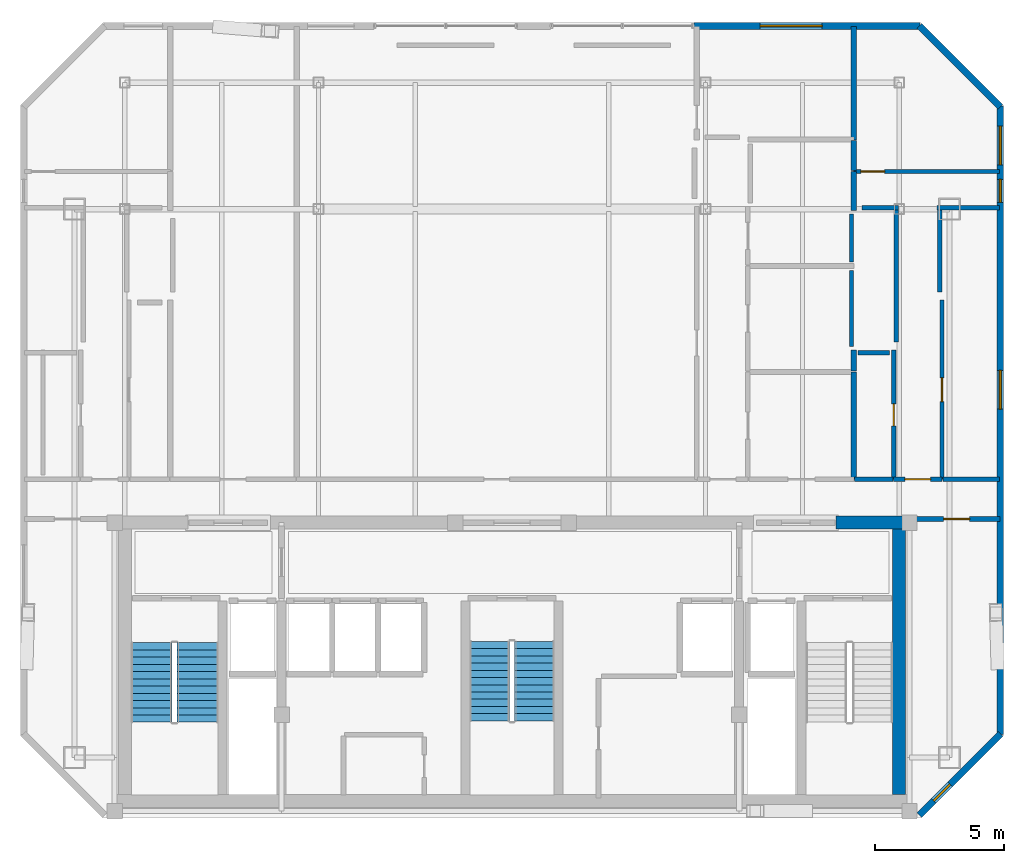
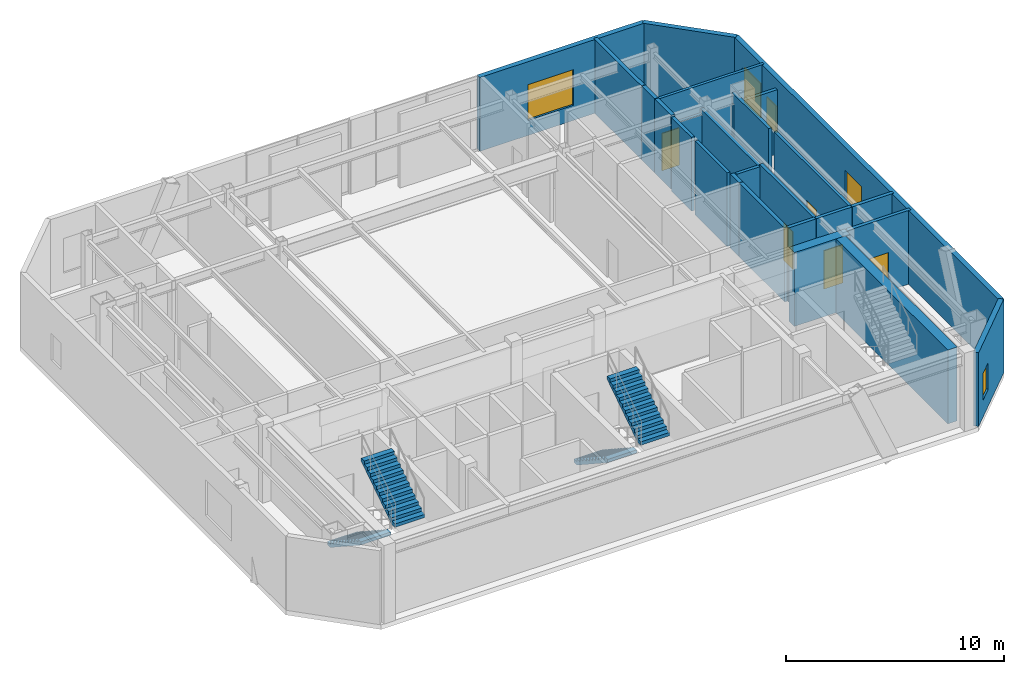
# One storey, part 8 of 10: 25 walls, 5 doors, 5 windows, 4 stair flights, 10 openings, 2 elements without a shape of their own.
"""IFC4 building model written with IfcOpenShell, lengths in metres."""

from ifc_helpers import new_model, si_unit, direction, frame, frame_2d, origin, place, context, subcontext, project, spatial, polyline, rectangle, outline, extrude, material, layer, layer_set, type_object, element, fill, aggregate, save


model = new_model("IFC4")

# Units and contexts
model_context = context("Model", 3, precision=1e-05, world=origin(), true_north=direction((0.0, 1.0)))
body_context = subcontext(model_context, "Body", "Model", "MODEL_VIEW")
ifc_project = project(units=[si_unit("LENGTHUNIT", "METRE"), si_unit("AREAUNIT", "SQUARE_METRE"), si_unit("VOLUMEUNIT", "CUBIC_METRE"), si_unit("PLANEANGLEUNIT", "RADIAN"), si_unit("MASSUNIT", "GRAM", prefix="KILO")], contexts=[model_context])

# Site, building, storey
site_placement = place(None, origin())
site = spatial("IfcSite", under=ifc_project, at=site_placement, CompositionType="ELEMENT")
building_placement = place(site_placement, origin())
building = spatial("IfcBuilding", under=site, at=building_placement, Name="Ventersveld Concourse Tower", CompositionType="ELEMENT")
storey_placement = place(building_placement, frame((0.0, 0.0, 357.85009765625)))
storey = spatial("IfcBuildingStorey", under=building, at=storey_placement, Name="L88", CompositionType="ELEMENT", Elevation=357.85009765625)

# Walls
ifc_material_1 = material(Name="Concrete C50/60", Category="concrete")
ifc_layer_1 = layer(ifc_material_1, 0.5)
ifc_layer_set_1 = layer_set([ifc_layer_1], Name="Concrete C50/60")
wall_type_1 = type_object("IfcWallType", Name="WL-CORE-500", PredefinedType="SHEAR", material=ifc_layer_set_1)
wall_1_placement = place(storey_placement, frame((43.75, 0.919921875, 0.0), z_axis=(0.0, 0.0, 1.0), x_axis=(0.0, 1.0, 0.0)))
element("IfcWall", 1, at=wall_1_placement, inside=storey, type_object=wall_type_1, Name="L88 Rear Core East Shear Wall", PredefinedType="SHEAR", context=body_context, shape_type="SweptSolid", body=[
    extrude(rectangle(XDim=10.530029296875, YDim=0.5, at=frame_2d((5.26513671875, 0.0))), origin(), (0.0, 0.0, 1.0), 4.139892578125),
])
wall_2_placement = place(storey_placement, frame((41.300048828125, 11.449951171875, 0.0), z_axis=(0.0, 0.0, 1.0), x_axis=(1.0, 0.0, 0.0)))
element("IfcWall", 2, at=wall_2_placement, inside=storey, type_object=wall_type_1, Name="L88 Rear Core North Shear Wall NE", PredefinedType="SHEAR", context=body_context, shape_type="SweptSolid", body=[
    extrude(rectangle(XDim=2.949951171875, YDim=0.5, at=frame_2d((1.47509765625, 0.0))), origin(), (0.0, 0.0, 1.0), 4.139892578125),
])

# Wall, opening, door
ifc_material_2 = material(Name="Fire-rated autoclaved aerated masonry blockwork", Category="masonry")
ifc_layer_2 = layer(ifc_material_2, 0.179931640625)
ifc_layer_set_2 = layer_set([ifc_layer_2], Name="Fire-rated autoclaved aerated masonry blockwork")
wall_type_2 = type_object("IfcWallType", Name="WL-CORR-180", PredefinedType="PARTITIONING", material=ifc_layer_set_2)
wall_3_placement = place(storey_placement, frame((44.304931640625, 11.594970703125, 0.0), z_axis=(0.0, 0.0, 1.0), x_axis=(1.0, 0.0, 0.0)))
wall_3 = element("IfcWall", 3, at=wall_3_placement, inside=storey, type_object=wall_type_2, Name="L88 Interior Partition SP-L88-COR-SP-L88-SEOFF", PredefinedType="PARTITIONING", context=body_context, shape_type="SweptSolid", body=[
    extrude(rectangle(XDim=3.341552734375, YDim=0.179931640625, at=frame_2d((1.6708984375, 0.0))), origin(), (0.0, 0.0, 1.0), 4.139892578125),
])
opening_1_placement = place(wall_3_placement, frame((1.1708984375, 0.0, 0.0)))
opening_1 = element("IfcOpeningElement", 4, at=opening_1_placement, cuts=wall_3, Name="Opening FD3", PredefinedType="OPENING", context=body_context, shape_type="SweptSolid", body=[
    extrude(rectangle(XDim=1.0, YDim=2.14990234375, at=frame_2d((0.5, 1.074951171875))), frame((0.0, 0.10009765625, 0.0), z_axis=(0.0, -1.0, 0.0), x_axis=(1.0, 0.0, 0.0)), (0.0, 0.0, 1.0), 0.199951171875),
])
ifc_material_3 = material(Name="Solid-core hardwood veneer timber", Category="wood")
door_type_1 = type_object("IfcDoorType", Name="DR-FLAT-100", OperationType="NOTDEFINED", PredefinedType="DOOR", material=ifc_material_3)
door_1_placement = place(opening_1_placement, origin())
door_1 = element("IfcDoor", 5, at=door_1_placement, inside=storey, type_object=door_type_1, Name="L88 Interior Door SP-L88-COR to SP-L88-SEOFF (D-L88-3910)", OperationType="SINGLE_SWING_RIGHT", OverallHeight=2.14990234375, OverallWidth=1.0, PredefinedType="DOOR", context=body_context, shape_type="SweptSolid", body=[
    extrude(rectangle(XDim=1.0, YDim=2.14990234375, at=frame_2d((0.5, 1.074951171875))), frame((0.0, 0.02490234375, 0.0), z_axis=(0.0, -1.0, 0.0), x_axis=(1.0, 0.0, 0.0)), (0.0, 0.0, 1.0), 0.050048828125),
])
fill(opening_1, door_1)

wall_4_placement = place(storey_placement, frame((43.534912109375, 13.135009765625, 0.0), z_axis=(0.0, 0.0, 1.0), x_axis=(1.0, 0.0, 0.0)))
wall_4 = element("IfcWall", 6, at=wall_4_placement, inside=storey, type_object=wall_type_2, Name="L88 Interior Partition SP-L88-COR-SP-L88-88E-LIV", PredefinedType="PARTITIONING", context=body_context, shape_type="SweptSolid", body=[
    extrude(rectangle(XDim=1.876220703125, YDim=0.179931640625, at=frame_2d((0.93798828125, 0.0))), origin(), (0.0, 0.0, 1.0), 4.139892578125),
])
opening_2_placement = place(wall_4_placement, frame((0.43798828125, 0.0, 0.0)))
opening_2 = element("IfcOpeningElement", 7, at=opening_2_placement, cuts=wall_4, Name="Opening FD3", PredefinedType="OPENING", context=body_context, shape_type="SweptSolid", body=[
    extrude(rectangle(XDim=1.0, YDim=2.14990234375, at=frame_2d((0.5, 1.074951171875))), frame((0.0, 0.10009765625, 0.0), z_axis=(0.0, -1.0, 0.0), x_axis=(1.0, 0.0, 0.0)), (0.0, 0.0, 1.0), 0.199951171875),
])
door_2_placement = place(opening_2_placement, origin())
door_2 = element("IfcDoor", 8, at=door_2_placement, inside=storey, type_object=door_type_1, Name="L88 Interior Door SP-L88-COR to SP-L88-88E-LIV (FD-L88-3916)", OperationType="SINGLE_SWING_RIGHT", OverallHeight=2.14990234375, OverallWidth=1.0, PredefinedType="DOOR", context=body_context, shape_type="SweptSolid", body=[
    extrude(rectangle(XDim=1.0, YDim=2.14990234375, at=frame_2d((0.5, 1.074951171875))), frame((0.0, 0.02490234375, 0.0), z_axis=(0.0, -1.0, 0.0), x_axis=(1.0, 0.0, 0.0)), (0.0, 0.0, 1.0), 0.050048828125),
])
fill(opening_2, door_2)

# Walls
wall_5_placement = place(storey_placement, frame((42.02490234375, 13.135009765625, 0.0), z_axis=(0.0, 0.0, 1.0), x_axis=(1.0, 0.0, 0.0)))
element("IfcWall", 9, at=wall_5_placement, inside=storey, type_object=wall_type_2, Name="L88 Interior Partition SP-L88-COR-SP-L88-88E-BATH", PredefinedType="PARTITIONING", context=body_context, shape_type="SweptSolid", body=[
    extrude(rectangle(XDim=1.47998046875, YDim=0.179931640625, at=frame_2d((0.739990234375, 0.0))), origin(), (0.0, 0.0, 1.0), 4.139892578125),
])
wall_6_placement = place(storey_placement, frame((45.441162109375, 13.135009765625, 0.0), z_axis=(0.0, 0.0, 1.0), x_axis=(1.0, 0.0, 0.0)))
element("IfcWall", 10, at=wall_6_placement, inside=storey, type_object=wall_type_2, Name="L88 Interior Partition SP-L88-COR-SP-L88-88E-KIT", PredefinedType="PARTITIONING", context=body_context, shape_type="SweptSolid", body=[
    extrude(rectangle(XDim=2.205322265625, YDim=0.179931640625, at=frame_2d((1.1025390625, 0.0))), origin(), (0.0, 0.0, 1.0), 4.139892578125),
])
wall_7_placement = place(storey_placement, frame((43.72509765625, 23.6455078125, 0.0), z_axis=(0.0, 0.0, 1.0), x_axis=(-1.0, 0.0, 0.0)))
element("IfcWall", 11, at=wall_7_placement, inside=storey, type_object=wall_type_2, Name="L88 Room Enclosure Wall SP-L88-88E-LIV", PredefinedType="PARTITIONING", context=body_context, shape_type="SweptSolid", body=[
    extrude(rectangle(XDim=1.41015625, YDim=0.179931640625, at=frame_2d((0.705078125, 0.0))), origin(), (0.0, 0.0, 1.0), 3.606689453125),
])
wall_8_placement = place(storey_placement, frame((47.646484375, 23.6455078125, 0.0), z_axis=(0.0, 0.0, 1.0), x_axis=(-1.0, 0.0, 0.0)))
element("IfcWall", 12, at=wall_8_placement, inside=storey, type_object=wall_type_2, Name="L88 Room Enclosure Wall SP-L88-88E-LIV", PredefinedType="PARTITIONING", context=body_context, shape_type="SweptSolid", body=[
    extrude(rectangle(XDim=2.42529296875, YDim=0.179931640625, at=frame_2d((1.212646484375, 0.0))), origin(), (0.0, 0.0, 1.0), 3.606689453125),
])
wall_9_placement = place(storey_placement, frame((45.316162109375, 23.740478515625, 0.0), z_axis=(0.0, 0.0, 1.0), x_axis=(0.0, -1.0, 0.0)))
element("IfcWall", 13, at=wall_9_placement, inside=storey, type_object=wall_type_2, Name="L88 Room Enclosure Wall SP-L88-88E-LIV", PredefinedType="PARTITIONING", context=body_context, shape_type="SweptSolid", body=[
    extrude(rectangle(XDim=3.35009765625, YDim=0.179931640625, at=frame_2d((1.675048828125, 0.0))), origin(), (0.0, 0.0, 1.0), 4.139892578125),
])
wall_10_placement = place(storey_placement, frame((43.6298828125, 18.447509765625, 0.0), z_axis=(0.0, 0.0, 1.0), x_axis=(0.0, 1.0, 0.0)))
element("IfcWall", 14, at=wall_10_placement, inside=storey, type_object=wall_type_2, Name="L88 Room Enclosure Wall SP-L88-88E-LIV", PredefinedType="PARTITIONING", context=body_context, shape_type="SweptSolid", body=[
    extrude(rectangle(XDim=5.29296875, YDim=0.179931640625, at=frame_2d((2.646484375, 0.0))), origin(), (0.0, 0.0, 1.0), 3.83642578125),
])
ifc_layer_3 = layer(ifc_material_2, 0.199951171875)
ifc_layer_set_3 = layer_set([ifc_layer_3], Name="Fire-rated autoclaved aerated masonry blockwork")
wall_type_3 = type_object("IfcWallType", Name="WL-DEMISE-200", PredefinedType="PARTITIONING", material=ifc_layer_set_3)
wall_11_placement = place(storey_placement, frame((41.989990234375, 26.284912109375, 0.0), z_axis=(0.0, 0.0, 1.0), x_axis=(0.0, 1.0, 0.0)))
element("IfcWall", 15, at=wall_11_placement, inside=storey, type_object=wall_type_3, Name="L88 Interior Partition SP-L88-NSTD-SP-L88-88E-BR1", PredefinedType="PARTITIONING", context=body_context, shape_type="SweptSolid", body=[
    extrude(rectangle(XDim=4.39111328125, YDim=0.199951171875, at=frame_2d((2.195556640625, 0.0))), origin(), (0.0, 0.0, 1.0), 4.139892578125),
])
wall_12_placement = place(storey_placement, frame((41.989990234375, 13.125, 0.0), z_axis=(0.0, 0.0, 1.0), x_axis=(0.0, 1.0, 0.0)))
element("IfcWall", 16, at=wall_12_placement, inside=storey, type_object=wall_type_3, Name="L88 Interior Partition SP-L88-MWC-SP-L88-88E-BATH", PredefinedType="PARTITIONING", context=body_context, shape_type="SweptSolid", body=[
    extrude(rectangle(XDim=4.169921875, YDim=0.199951171875, at=frame_2d((2.0849609375, 0.0))), origin(), (0.0, 0.0, 1.0), 4.139892578125),
])
wall_13_placement = place(storey_placement, frame((41.989990234375, 17.324951171875, 0.0), z_axis=(0.0, 0.0, 1.0), x_axis=(0.0, 1.0, 0.0)))
element("IfcWall", 17, at=wall_13_placement, inside=storey, type_object=wall_type_3, Name="L88 Interior Partition SP-L88-FWC-SP-L88-88E-BATH", PredefinedType="PARTITIONING", context=body_context, shape_type="SweptSolid", body=[
    extrude(rectangle(XDim=0.8076171875, YDim=0.199951171875, at=frame_2d((0.40380859375, 0.0))), origin(), (0.0, 0.0, 1.0), 4.139892578125),
])
wall_14_placement = place(storey_placement, frame((41.989990234375, 23.550537109375, 0.0), z_axis=(0.0, 0.0, 1.0), x_axis=(0.0, 1.0, 0.0)))
element("IfcWall", 18, at=wall_14_placement, inside=storey, type_object=wall_type_3, Name="L88 Interior Partition SP-L88-AWC-SP-L88-88E-LIV", PredefinedType="PARTITIONING", context=body_context, shape_type="SweptSolid", body=[
    extrude(rectangle(XDim=1.510009765625, YDim=0.199951171875, at=frame_2d((0.7548828125, 0.0))), origin(), (0.0, 0.0, 1.0), 4.139892578125),
])
wall_15_placement = place(storey_placement, frame((41.989990234375, 25.090576171875, 0.0), z_axis=(0.0, 0.0, 1.0), x_axis=(0.0, 1.0, 0.0)))
element("IfcWall", 19, at=wall_15_placement, inside=storey, type_object=wall_type_3, Name="L88 Interior Partition SP-L88-AWC-SP-L88-88E-BR1", PredefinedType="PARTITIONING", context=body_context, shape_type="SweptSolid", body=[
    extrude(rectangle(XDim=1.164306640625, YDim=0.199951171875, at=frame_2d((0.58203125, 0.0))), origin(), (0.0, 0.0, 1.0), 4.139892578125),
])

# Wall, opening, door
ifc_material_4 = material(Name="Autoclaved aerated masonry blockwork", Category="masonry")
ifc_layer_4 = layer(ifc_material_4, 0.14990234375)
ifc_layer_set_4 = layer_set([ifc_layer_4], Name="Autoclaved aerated masonry blockwork")
wall_type_4 = type_object("IfcWallType", Name="WL-INT-150", PredefinedType="PARTITIONING", material=ifc_layer_set_4)
wall_16_placement = place(storey_placement, frame((45.406005859375, 13.125, 0.0), z_axis=(0.0, 0.0, 1.0), x_axis=(0.0, 1.0, 0.0)))
wall_16 = element("IfcWall", 20, at=wall_16_placement, inside=storey, type_object=wall_type_4, Name="L88 Interior Partition SP-L88-88E-LIV-SP-L88-88E-KIT", PredefinedType="PARTITIONING", context=body_context, shape_type="SweptSolid", body=[
    extrude(rectangle(XDim=6.95068359375, YDim=0.14990234375, at=frame_2d((3.475341796875, 0.0))), origin(), (0.0, 0.0, 1.0), 4.139892578125),
])
opening_3_placement = place(wall_16_placement, frame((3.015380859375, 0.0, 0.0)))
opening_3 = element("IfcOpeningElement", 21, at=opening_3_placement, cuts=wall_16, Name="Opening ID1", PredefinedType="OPENING", context=body_context, shape_type="SweptSolid", body=[
    extrude(rectangle(XDim=0.919921875, YDim=2.10009765625, at=frame_2d((0.4599609375, 1.050048828125))), frame((0.0, 0.0849609375, 0.0), z_axis=(0.0, -1.0, 0.0), x_axis=(1.0, 0.0, 0.0)), (0.0, 0.0, 1.0), 0.169921875),
])
door_type_2 = type_object("IfcDoorType", Name="DR-ROOM-092", OperationType="NOTDEFINED", PredefinedType="DOOR", material=ifc_material_3)
door_3_placement = place(opening_3_placement, origin())
door_3 = element("IfcDoor", 22, at=door_3_placement, inside=storey, type_object=door_type_2, Name="L88 Interior Door SP-L88-88E-LIV to SP-L88-88E-KIT (D-L88-3926)", OperationType="SINGLE_SWING_RIGHT", OverallHeight=2.10009765625, OverallWidth=0.919921875, PredefinedType="DOOR", context=body_context, shape_type="SweptSolid", body=[
    extrude(rectangle(XDim=0.919921875, YDim=2.10009765625, at=frame_2d((0.4599609375, 1.050048828125))), frame((0.0, 0.02490234375, 0.0), z_axis=(0.0, -1.0, 0.0), x_axis=(1.0, 0.0, 0.0)), (0.0, 0.0, 1.0), 0.050048828125),
])
fill(opening_3, door_3)

wall_17_placement = place(storey_placement, frame((41.985107421875, 25.0556640625, 0.0), z_axis=(0.0, 0.0, 1.0), x_axis=(1.0, 0.0, 0.0)))
wall_17 = element("IfcWall", 23, at=wall_17_placement, inside=storey, type_object=wall_type_4, Name="L88 Interior Partition SP-L88-88E-LIV-SP-L88-88E-BR1", PredefinedType="PARTITIONING", context=body_context, shape_type="SweptSolid", body=[
    extrude(rectangle(XDim=5.661376953125, YDim=0.14990234375, at=frame_2d((2.83056640625, 0.0))), origin(), (0.0, 0.0, 1.0), 4.139892578125),
])
opening_4_placement = place(wall_17_placement, frame((0.280029296875, 0.0, 0.0)))
opening_4 = element("IfcOpeningElement", 24, at=opening_4_placement, cuts=wall_17, Name="Opening ID1", PredefinedType="OPENING", context=body_context, shape_type="SweptSolid", body=[
    extrude(rectangle(XDim=0.919921875, YDim=2.10009765625, at=frame_2d((0.4599609375, 1.050048828125))), frame((0.0, 0.0849609375, 0.0), z_axis=(0.0, -1.0, 0.0), x_axis=(1.0, 0.0, 0.0)), (0.0, 0.0, 1.0), 0.169921875),
])
door_4_placement = place(opening_4_placement, origin())
door_4 = element("IfcDoor", 25, at=door_4_placement, inside=storey, type_object=door_type_2, Name="L88 Interior Door SP-L88-88E-LIV to SP-L88-88E-BR1 (D-L88-3927)", OperationType="SINGLE_SWING_LEFT", OverallHeight=2.10009765625, OverallWidth=0.919921875, PredefinedType="DOOR", context=body_context, shape_type="SweptSolid", body=[
    extrude(rectangle(XDim=0.919921875, YDim=2.10009765625, at=frame_2d((0.4599609375, 1.050048828125))), frame((0.0, 0.02490234375, 0.0), z_axis=(0.0, -1.0, 0.0), x_axis=(1.0, 0.0, 0.0)), (0.0, 0.0, 1.0), 0.050048828125),
])
fill(opening_4, door_4)

# Wall, opening, window
ifc_material_5 = material(Name="Precast concrete C45/55", Category="concrete")
ifc_layer_5 = layer(ifc_material_5, 0.260009765625)
ifc_layer_set_5 = layer_set([ifc_layer_5], Name="Precast concrete C45/55")
wall_type_5 = type_object("IfcWallType", Name="WL-PREC-260", PredefinedType="SOLIDWALL", material=ifc_layer_set_5)
wall_18_placement = place(storey_placement, frame((44.532470703125, 0.1201171875, 0.0), z_axis=(0.0, 0.0, 1.0), x_axis=(0.707079321262, 0.707134240044, 0.0)))
wall_18 = element("IfcWall", 26, at=wall_18_placement, inside=storey, type_object=wall_type_5, Name="L88 Highveld Precast Facade Wall E02", PredefinedType="SOLIDWALL", context=body_context, shape_type="SweptSolid", body=[
    extrude(rectangle(XDim=4.445556640625, YDim=0.260009765625, at=frame_2d((2.22265625, 0.0))), origin(), (0.0, 0.0, 1.0), 4.139892578125),
])
opening_5_placement = place(wall_18_placement, frame((0.780029296875, 0.0, 0.949951171875)))
opening_5 = element("IfcOpeningElement", 27, at=opening_5_placement, cuts=wall_18, Name="Opening W4", PredefinedType="OPENING", context=body_context, shape_type="SweptSolid", body=[
    extrude(rectangle(XDim=0.89990234375, YDim=1.5, at=frame_2d((0.449951171875, 0.75))), frame((0.0, 0.14013671875, 0.0), z_axis=(0.0, -1.0, 0.0), x_axis=(1.0, 0.0, 0.0)), (0.0, 0.0, 1.0), 0.280029296875),
])
ifc_material_6 = material(Name="Tempered acoustic Low-E IGU", Category="glass")
window_type_1 = type_object("IfcWindowType", Name="WIN-090x150", PartitioningType="SINGLE_PANEL", PredefinedType="WINDOW", material=ifc_material_6)
window_1_placement = place(opening_5_placement, origin())
window_1 = element("IfcWindow", 28, at=window_1_placement, inside=storey, type_object=window_type_1, Name="L88 Punched Low-E Window W-1231", OverallHeight=1.5, OverallWidth=0.89990234375, PartitioningType="SINGLE_PANEL", PredefinedType="WINDOW", context=body_context, shape_type="SweptSolid", body=[
    extrude(rectangle(XDim=0.89990234375, YDim=1.5, at=frame_2d((0.449951171875, 0.75))), frame((0.0, 0.030029296875, 0.0), z_axis=(0.0, -1.0, 0.0), x_axis=(1.0, 0.0, 0.0)), (0.0, 0.0, 1.0), 0.06005859375),
])
fill(opening_5, window_1)

# Wall, openings, windows
wall_19_placement = place(storey_placement, frame((47.666015625, 3.239990234375, 0.0), z_axis=(0.0, 0.0, 1.0), x_axis=(0.0, 1.0, 0.0)))
wall_19 = element("IfcWall", 29, at=wall_19_placement, inside=storey, type_object=wall_type_5, Name="L88 Highveld Precast Facade Wall E03", PredefinedType="SOLIDWALL", context=body_context, shape_type="SweptSolid", body=[
    extrude(rectangle(XDim=24.345703125, YDim=0.260009765625, at=frame_2d((12.1728515625, 0.0))), origin(), (0.0, 0.0, 1.0), 4.139892578125),
])
opening_6_placement = place(wall_19_placement, frame((20.615478515625, 0.0, 0.949951171875)))
opening_6 = element("IfcOpeningElement", 30, at=opening_6_placement, cuts=wall_19, Name="Opening W4", PredefinedType="OPENING", context=body_context, shape_type="SweptSolid", body=[
    extrude(rectangle(XDim=0.89990234375, YDim=1.5, at=frame_2d((0.449951171875, 0.75))), frame((0.0, 0.14013671875, 0.0), z_axis=(0.0, -1.0, 0.0), x_axis=(1.0, 0.0, 0.0)), (0.0, 0.0, 1.0), 0.280029296875),
])
opening_7_placement = place(wall_19_placement, frame((12.6103515625, 0.0, 0.89990234375)))
opening_7 = element("IfcOpeningElement", 31, at=opening_7_placement, cuts=wall_19, Name="Opening W1", PredefinedType="OPENING", context=body_context, shape_type="SweptSolid", body=[
    extrude(rectangle(XDim=1.5, YDim=1.949951171875, at=frame_2d((0.75, 0.97509765625))), frame((0.0, 0.14013671875, 0.0), z_axis=(0.0, -1.0, 0.0), x_axis=(1.0, 0.0, 0.0)), (0.0, 0.0, 1.0), 0.280029296875),
])
opening_8_placement = place(wall_19_placement, frame((22.07568359375, 0.0, 0.89990234375)))
opening_8 = element("IfcOpeningElement", 32, at=opening_8_placement, cuts=wall_19, Name="Opening W1", PredefinedType="OPENING", context=body_context, shape_type="SweptSolid", body=[
    extrude(rectangle(XDim=1.5, YDim=1.949951171875, at=frame_2d((0.75, 0.97509765625))), frame((0.0, 0.14013671875, 0.0), z_axis=(0.0, -1.0, 0.0), x_axis=(1.0, 0.0, 0.0)), (0.0, 0.0, 1.0), 0.280029296875),
])
window_2_placement = place(opening_6_placement, origin())
window_2 = element("IfcWindow", 33, at=window_2_placement, inside=storey, type_object=window_type_1, Name="L88 Punched Low-E Window W-1236", OverallHeight=1.5, OverallWidth=0.89990234375, PartitioningType="SINGLE_PANEL", PredefinedType="WINDOW", context=body_context, shape_type="SweptSolid", body=[
    extrude(rectangle(XDim=0.89990234375, YDim=1.5, at=frame_2d((0.449951171875, 0.75))), frame((0.0, 0.030029296875, 0.0), z_axis=(0.0, -1.0, 0.0), x_axis=(1.0, 0.0, 0.0)), (0.0, 0.0, 1.0), 0.06005859375),
])
fill(opening_6, window_2)
window_type_2 = type_object("IfcWindowType", Name="WIN-150x210", PartitioningType="SINGLE_PANEL", PredefinedType="WINDOW", material=ifc_material_6)
window_3_placement = place(opening_7_placement, origin())
window_3 = element("IfcWindow", 34, at=window_3_placement, inside=storey, type_object=window_type_2, Name="L88 Punched Low-E Window W-1237", OverallHeight=1.949951171875, OverallWidth=1.5, PartitioningType="SINGLE_PANEL", PredefinedType="WINDOW", context=body_context, shape_type="SweptSolid", body=[
    extrude(rectangle(XDim=1.5, YDim=1.949951171875, at=frame_2d((0.75, 0.97509765625))), frame((0.0, 0.030029296875, 0.0), z_axis=(0.0, -1.0, 0.0), x_axis=(1.0, 0.0, 0.0)), (0.0, 0.0, 1.0), 0.06005859375),
])
fill(opening_7, window_3)
window_4_placement = place(opening_8_placement, origin())
window_4 = element("IfcWindow", 35, at=window_4_placement, inside=storey, type_object=window_type_2, Name="L88 Punched Low-E Window W-1238", OverallHeight=1.949951171875, OverallWidth=1.5, PartitioningType="SINGLE_PANEL", PredefinedType="WINDOW", context=body_context, shape_type="SweptSolid", body=[
    extrude(rectangle(XDim=1.5, YDim=1.949951171875, at=frame_2d((0.75, 0.97509765625))), frame((0.0, 0.030029296875, 0.0), z_axis=(0.0, -1.0, 0.0), x_axis=(1.0, 0.0, 0.0)), (0.0, 0.0, 1.0), 0.06005859375),
])
fill(opening_8, window_4)

# Wall
wall_20_placement = place(storey_placement, frame((47.67578125, 27.56201171875, 0.0), z_axis=(0.0, 0.0, 1.0), x_axis=(-0.707106781187, 0.707106781187, 0.0)))
element("IfcWall", 36, at=wall_20_placement, inside=storey, type_object=wall_type_5, Name="L88 Highveld Precast Facade Wall E04", PredefinedType="SOLIDWALL", context=body_context, shape_type="SweptSolid", body=[
    extrude(rectangle(XDim=4.4453125, YDim=0.260009765625, at=frame_2d((2.22265625, 0.0))), origin(), (0.0, 0.0, 1.0), 4.139892578125),
])

# Wall, opening, window
wall_21_placement = place(storey_placement, frame((44.55615234375, 30.695556640625, 0.0), z_axis=(0.0, 0.0, 1.0), x_axis=(-1.0, 0.0, 0.0)))
wall_21 = element("IfcWall", 37, at=wall_21_placement, inside=storey, type_object=wall_type_5, Name="L88 North-East Precast Pier Wall", PredefinedType="SOLIDWALL", context=body_context, shape_type="SweptSolid", body=[
    extrude(rectangle(XDim=8.756103515625, YDim=0.260009765625, at=frame_2d((4.3779296875, 0.0))), origin(), (0.0, 0.0, 1.0), 4.139892578125),
])
opening_9_placement = place(wall_21_placement, frame((3.7958984375, 0.0, 0.85009765625)))
opening_9 = element("IfcOpeningElement", 38, at=opening_9_placement, cuts=wall_21, Name="Opening W5", PredefinedType="OPENING", context=body_context, shape_type="SweptSolid", body=[
    extrude(rectangle(XDim=2.39990234375, YDim=2.0, at=frame_2d((1.199951171875, 1.0))), frame((0.0, 0.14013671875, 0.0), z_axis=(0.0, -1.0, 0.0), x_axis=(1.0, 0.0, 0.0)), (0.0, 0.0, 1.0), 0.280029296875),
])
window_type_3 = type_object("IfcWindowType", Name="WIN-240x210", PartitioningType="SINGLE_PANEL", PredefinedType="WINDOW", material=ifc_material_6)
window_5_placement = place(opening_9_placement, origin())
window_5 = element("IfcWindow", 39, at=window_5_placement, inside=storey, type_object=window_type_3, Name="L88 Punched Low-E Window W-1233", OverallHeight=2.0, OverallWidth=2.39990234375, PartitioningType="SINGLE_PANEL", PredefinedType="WINDOW", context=body_context, shape_type="SweptSolid", body=[
    extrude(rectangle(XDim=2.39990234375, YDim=2.0, at=frame_2d((1.199951171875, 1.0))), frame((0.0, 0.030029296875, 0.0), z_axis=(0.0, -1.0, 0.0), x_axis=(1.0, 0.0, 0.0)), (0.0, 0.0, 1.0), 0.06005859375),
])
fill(opening_9, window_5)

# Wall, opening, door
ifc_layer_6 = layer(ifc_material_4, 0.1650390625)
ifc_layer_set_6 = layer_set([ifc_layer_6], Name="Autoclaved aerated masonry blockwork")
wall_type_6 = type_object("IfcWallType", Name="WL-WET-165", PredefinedType="PLUMBINGWALL", material=ifc_layer_set_6)
wall_22_placement = place(storey_placement, frame((43.5400390625, 13.125, 0.0), z_axis=(0.0, 0.0, 1.0), x_axis=(0.0, 1.0, 0.0)))
wall_22 = element("IfcWall", 40, at=wall_22_placement, inside=storey, type_object=wall_type_6, Name="L88 Interior Partition SP-L88-88E-LIV-SP-L88-88E-BATH", PredefinedType="PLUMBINGWALL", context=body_context, shape_type="SweptSolid", body=[
    extrude(rectangle(XDim=5.007568359375, YDim=0.1650390625, at=frame_2d((2.50390625, 0.0))), origin(), (0.0, 0.0, 1.0), 4.139892578125),
])
opening_10_placement = place(wall_22_placement, frame((2.078857421875, 0.0, 0.0)))
opening_10 = element("IfcOpeningElement", 41, at=opening_10_placement, cuts=wall_22, Name="Opening ID2", PredefinedType="OPENING", context=body_context, shape_type="SweptSolid", body=[
    extrude(rectangle(XDim=0.85009765625, YDim=2.10009765625, at=frame_2d((0.425048828125, 1.050048828125))), frame((0.0, 0.092529296875, 0.0), z_axis=(0.0, -1.0, 0.0), x_axis=(1.0, 0.0, 0.0)), (0.0, 0.0, 1.0), 0.18505859375),
])
door_type_3 = type_object("IfcDoorType", Name="DR-BATH-085", OperationType="NOTDEFINED", PredefinedType="DOOR", material=ifc_material_3)
door_5_placement = place(opening_10_placement, origin())
door_5 = element("IfcDoor", 42, at=door_5_placement, inside=storey, type_object=door_type_3, Name="L88 Interior Door SP-L88-88E-LIV to SP-L88-88E-BATH (D-L88-3925)", OperationType="SINGLE_SWING_LEFT", OverallHeight=2.10009765625, OverallWidth=0.85009765625, PredefinedType="DOOR", context=body_context, shape_type="SweptSolid", body=[
    extrude(rectangle(XDim=0.85009765625, YDim=2.10009765625, at=frame_2d((0.425048828125, 1.050048828125))), frame((0.0, 0.02490234375, 0.0), z_axis=(0.0, -1.0, 0.0), x_axis=(1.0, 0.0, 0.0)), (0.0, 0.0, 1.0), 0.050048828125),
])
fill(opening_10, door_5)

# Walls
wall_23_placement = place(storey_placement, frame((41.89990234375, 21.22509765625, 0.0), z_axis=(0.0, 0.0, 1.0), x_axis=(0.0, -1.0, 0.0)))
element("IfcWall", 43, at=wall_23_placement, inside=storey, type_object=wall_type_6, Name="L88 Room Enclosure Wall SP-L88-FWC", PredefinedType="PLUMBINGWALL", context=body_context, shape_type="SweptSolid", body=[
    extrude(rectangle(XDim=2.944091796875, YDim=0.1650390625, at=frame_2d((1.47216796875, 0.0))), origin(), (0.0, 0.0, 1.0), 4.139892578125),
])
wall_24_placement = place(storey_placement, frame((41.89990234375, 23.402099609375, 0.0), z_axis=(0.0, 0.0, 1.0), x_axis=(0.0, -1.0, 0.0)))
element("IfcWall", 44, at=wall_24_placement, inside=storey, type_object=wall_type_6, Name="L88 Room Enclosure Wall SP-L88-AWC", PredefinedType="PLUMBINGWALL", context=body_context, shape_type="SweptSolid", body=[
    extrude(rectangle(XDim=1.84716796875, YDim=0.1650390625, at=frame_2d((0.923583984375, 0.0))), origin(), (0.0, 0.0, 1.0), 4.139892578125),
])
wall_25_placement = place(storey_placement, frame((42.155029296875, 18.03759765625, 0.0), z_axis=(0.0, 0.0, 1.0), x_axis=(1.0, 0.0, 0.0)))
element("IfcWall", 45, at=wall_25_placement, inside=storey, type_object=wall_type_6, Name="L88 Room Enclosure Wall SP-L88-88E-BATH", PredefinedType="PLUMBINGWALL", context=body_context, shape_type="SweptSolid", body=[
    extrude(rectangle(XDim=1.219970703125, YDim=0.1650390625, at=frame_2d((0.60986328125, 0.0))), origin(), (0.0, 0.0, 1.0), 4.139892578125),
])

# Stair, stair flights
stair_type_1 = type_object("IfcStairType", Name="ST-DOG-155", PredefinedType="HALF_TURN_STAIR", material=ifc_material_1)
stair_1_placement = place(storey_placement, origin())
stair_1 = element("IfcStair", 46, at=stair_1_placement, inside=storey, type_object=stair_type_1, Name="L88 Protected Central Core Escape Stair ST-03", PredefinedType="HALF_TURN_STAIR")
stair_flight_type_1 = type_object("IfcStairFlightType", Name="STF-RC-155", PredefinedType="STRAIGHT", material=ifc_material_1)
stair_flight_1_placement = place(storey_placement, frame((27.875, 6.85009765625, 0.0), z_axis=(0.0, 0.0, 1.0), x_axis=(0.0, -1.0, 0.0)))
stair_flight_1 = element("IfcStairFlight", 47, at=stair_flight_1_placement, type_object=stair_flight_type_1, Name="ST-03 flight 1", NumberOfRisers=12, NumberOfTreads=11, PredefinedType="STRAIGHT", RiserHeight=0.183333333, TreadLength=0.28, context=body_context, shape_type="SweptSolid", body=[
    extrude(outline(polyline([(0.0, 0.0), (0.0, 0.183349609375), (0.280029296875, 0.183349609375), (0.280029296875, 0.36669921875), (0.56005859375, 0.36669921875), (0.56005859375, 0.550048828125), (0.840087890625, 0.550048828125), (0.840087890625, 0.7333984375), (1.1201171875, 0.7333984375), (1.1201171875, 0.916748046875), (1.39990234375, 0.916748046875), (1.39990234375, 1.10009765625), (1.679931640625, 1.10009765625), (1.679931640625, 1.283447265625), (1.9599609375, 1.283447265625), (1.9599609375, 1.466552734375), (2.239990234375, 1.466552734375), (2.239990234375, 1.64990234375), (2.52001953125, 1.64990234375), (2.52001953125, 1.833251953125), (2.800048828125, 1.833251953125), (2.800048828125, 2.0166015625), (3.080078125, 2.0166015625), (3.080078125, 2.199951171875), (3.080078125, 1.83740234375), (0.273681640625, 0.0), (0.0, 0.0)])), frame((0.0, 0.77490234375, 0.0), z_axis=(0.0, -1.0, 0.0), x_axis=(1.0, 0.0, 0.0)), (0.0, 0.0, 1.0), 1.550048828125),
])
stair_flight_2_placement = place(storey_placement, frame((29.625, 3.77001953125, 2.199951171875), z_axis=(0.0, 0.0, 1.0), x_axis=(0.0, 1.0, 0.0)))
stair_flight_2 = element("IfcStairFlight", 48, at=stair_flight_2_placement, type_object=stair_flight_type_1, Name="ST-03 flight 2", NumberOfRisers=12, NumberOfTreads=11, PredefinedType="STRAIGHT", RiserHeight=0.183333333, TreadLength=0.28, context=body_context, shape_type="SweptSolid", body=[
    extrude(outline(polyline([(0.0, 0.0), (0.0, 0.183349609375), (0.280029296875, 0.183349609375), (0.280029296875, 0.36669921875), (0.56005859375, 0.36669921875), (0.56005859375, 0.550048828125), (0.840087890625, 0.550048828125), (0.840087890625, 0.7333984375), (1.1201171875, 0.7333984375), (1.1201171875, 0.916748046875), (1.39990234375, 0.916748046875), (1.39990234375, 1.10009765625), (1.679931640625, 1.10009765625), (1.679931640625, 1.283447265625), (1.9599609375, 1.283447265625), (1.9599609375, 1.466552734375), (2.239990234375, 1.466552734375), (2.239990234375, 1.64990234375), (2.52001953125, 1.64990234375), (2.52001953125, 1.833251953125), (2.800048828125, 1.833251953125), (2.800048828125, 2.0166015625), (3.080078125, 2.0166015625), (3.080078125, 2.199951171875), (3.080078125, 1.83740234375), (0.273681640625, 0.0), (0.0, 0.0)])), frame((0.0, 0.77490234375, 0.0), z_axis=(0.0, -1.0, 0.0), x_axis=(1.0, 0.0, 0.0)), (0.0, 0.0, 1.0), 1.550048828125),
])
aggregate(stair_1, [stair_flight_1, stair_flight_2])

stair_type_2 = type_object("IfcStairType", Name="ST-DOG-160", PredefinedType="HALF_TURN_STAIR", material=ifc_material_1)
stair_2_placement = place(storey_placement, origin())
stair_2 = element("IfcStair", 49, at=stair_2_placement, inside=storey, type_object=stair_type_2, Name="L88 Protected Tower Escape Stair ST-01", PredefinedType="HALF_TURN_STAIR")
stair_flight_type_2 = type_object("IfcStairFlightType", Name="STF-RC-160", PredefinedType="STRAIGHT", material=ifc_material_1)
stair_flight_3_placement = place(storey_placement, frame((14.780029296875, 6.800048828125, 0.0), z_axis=(0.0, 0.0, 1.0), x_axis=(0.0, -1.0, 0.0)))
stair_flight_3 = element("IfcStairFlight", 50, at=stair_flight_3_placement, type_object=stair_flight_type_2, Name="ST-01 flight 1", NumberOfRisers=12, NumberOfTreads=11, PredefinedType="STRAIGHT", RiserHeight=0.183333333, TreadLength=0.28, context=body_context, shape_type="SweptSolid", body=[
    extrude(outline(polyline([(0.0, 0.0), (0.0, 0.183349609375), (0.280029296875, 0.183349609375), (0.280029296875, 0.36669921875), (0.56005859375, 0.36669921875), (0.56005859375, 0.550048828125), (0.840087890625, 0.550048828125), (0.840087890625, 0.7333984375), (1.1201171875, 0.7333984375), (1.1201171875, 0.916748046875), (1.39990234375, 0.916748046875), (1.39990234375, 1.10009765625), (1.679931640625, 1.10009765625), (1.679931640625, 1.283447265625), (1.9599609375, 1.283447265625), (1.9599609375, 1.466552734375), (2.239990234375, 1.466552734375), (2.239990234375, 1.64990234375), (2.52001953125, 1.64990234375), (2.52001953125, 1.833251953125), (2.800048828125, 1.833251953125), (2.800048828125, 2.0166015625), (3.080078125, 2.0166015625), (3.080078125, 2.199951171875), (3.080078125, 1.83740234375), (0.273681640625, 0.0), (0.0, 0.0)])), frame((0.0, 0.800048828125, 0.0), z_axis=(0.0, -1.0, 0.0), x_axis=(1.0, 0.0, 0.0)), (0.0, 0.0, 1.0), 1.60009765625),
])
stair_flight_4_placement = place(storey_placement, frame((16.580078125, 3.719970703125, 2.199951171875), z_axis=(0.0, 0.0, 1.0), x_axis=(0.0, 1.0, 0.0)))
stair_flight_4 = element("IfcStairFlight", 51, at=stair_flight_4_placement, type_object=stair_flight_type_2, Name="ST-01 flight 2", NumberOfRisers=12, NumberOfTreads=11, PredefinedType="STRAIGHT", RiserHeight=0.183333333, TreadLength=0.28, context=body_context, shape_type="SweptSolid", body=[
    extrude(outline(polyline([(0.0, 0.0), (0.0, 0.183349609375), (0.280029296875, 0.183349609375), (0.280029296875, 0.36669921875), (0.56005859375, 0.36669921875), (0.56005859375, 0.550048828125), (0.840087890625, 0.550048828125), (0.840087890625, 0.7333984375), (1.1201171875, 0.7333984375), (1.1201171875, 0.916748046875), (1.39990234375, 0.916748046875), (1.39990234375, 1.10009765625), (1.679931640625, 1.10009765625), (1.679931640625, 1.283447265625), (1.9599609375, 1.283447265625), (1.9599609375, 1.466552734375), (2.239990234375, 1.466552734375), (2.239990234375, 1.64990234375), (2.52001953125, 1.64990234375), (2.52001953125, 1.833251953125), (2.800048828125, 1.833251953125), (2.800048828125, 2.0166015625), (3.080078125, 2.0166015625), (3.080078125, 2.199951171875), (3.080078125, 1.83740234375), (0.273681640625, 0.0), (0.0, 0.0)])), frame((0.0, 0.800048828125, 0.0), z_axis=(0.0, -1.0, 0.0), x_axis=(1.0, 0.0, 0.0)), (0.0, 0.0, 1.0), 1.60009765625),
])
aggregate(stair_2, [stair_flight_3, stair_flight_4])

save(model, "model.ifc")
